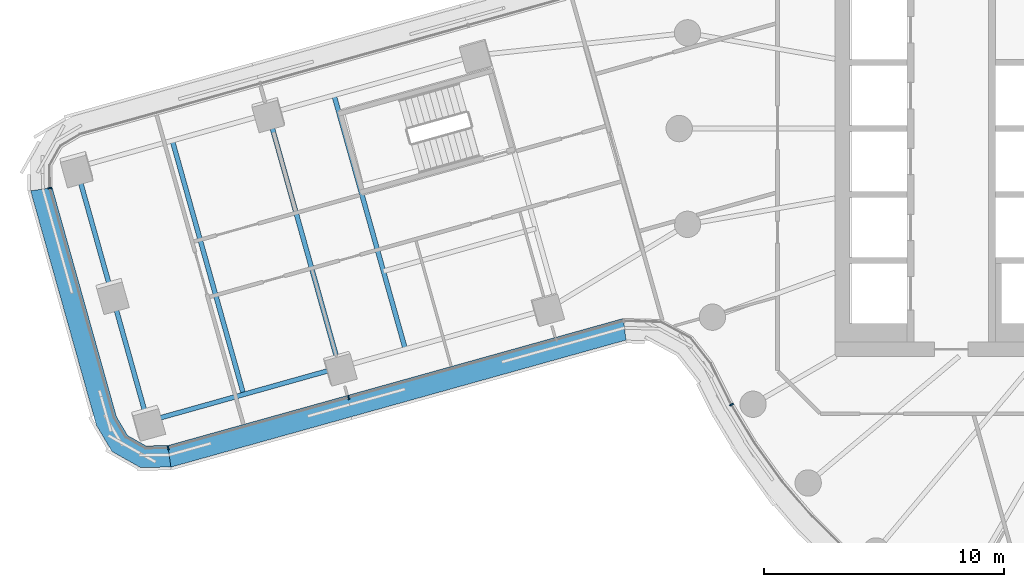
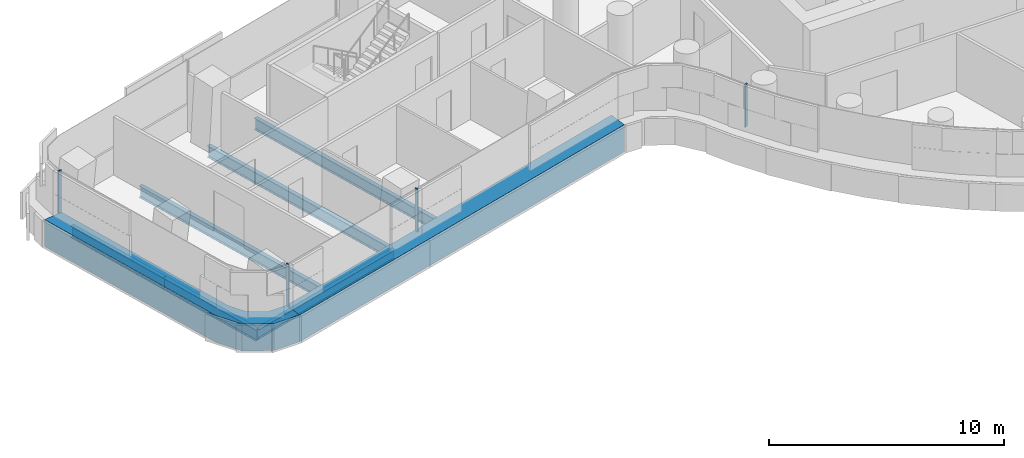
# One storey, part 4 of 30: 6 beams, 6 members, 3 elements without a shape of their own.
"""IFC4 building model written with IfcOpenShell, lengths in metres."""

from ifc_helpers import new_model, si_unit, direction, frame, origin, origin_2d, place, context, subcontext, project, spatial, polyline, rectangle, i_section, outline, extrude, material, layer, layer_set, material_profile, profile_set, type_object, element, aggregate, save


model = new_model("IFC4")

# Units and contexts
model_context = context("Model", 3, precision=1e-05, world=origin(), true_north=direction((0.0, 1.0)))
body_context = subcontext(model_context, "Body", "Model", "MODEL_VIEW")
ifc_project = project(units=[si_unit("LENGTHUNIT", "METRE"), si_unit("AREAUNIT", "SQUARE_METRE"), si_unit("VOLUMEUNIT", "CUBIC_METRE"), si_unit("PLANEANGLEUNIT", "RADIAN"), si_unit("MASSUNIT", "GRAM", prefix="KILO")], contexts=[model_context])

# Site, building, storey
site_placement = place(None, origin())
site = spatial("IfcSite", under=ifc_project, at=site_placement, CompositionType="ELEMENT")
building_placement = place(site_placement, origin())
building = spatial("IfcBuilding", under=site, at=building_placement, Name="Tamarind Cross Interchange Tower", CompositionType="ELEMENT")
storey_placement = place(building_placement, frame((0.0, 0.0, 91.0)))
storey = spatial("IfcBuildingStorey", under=building, at=storey_placement, Name="L21", CompositionType="ELEMENT", Elevation=91.0)

# Beams
ifc_material_1 = material(Name="Steel Q355B", Category="steel")
ifc_material_profile_1 = material_profile(ifc_material_1, i_section(OverallWidth=0.198974609375, OverallDepth=0.49609375, WebThickness=0.009033203125, FlangeThickness=0.013916015625, FilletRadius=0.012939453125, at=origin_2d()), Name="HN 496x199x9x14")
ifc_profile_set_1 = profile_set([ifc_material_profile_1], Name="Steel Q355B")
beam_type_1 = type_object("IfcBeamType", Name="Composite beam HN 496x199x9x14 Q355B", PredefinedType="BEAM", material=ifc_profile_set_1)
beam_placement = place(storey_placement, frame((-45.17578125, -12.214599609375, -0.387939453125), z_axis=(0.962821761658, 0.270137474776, 0.0), x_axis=(-0.270137474776, 0.962821761658, 0.0)))
element("IfcBeam", 1, at=beam_placement, inside=storey, type_object=beam_type_1, Name="Beam W-edgeep2", PredefinedType="BEAM", context=body_context, shape_type="SweptSolid", body=[
    extrude(i_section(OverallWidth=0.198974609375, OverallDepth=0.49609375, WebThickness=0.009033203125, FlangeThickness=0.013916015625, FilletRadius=0.012939453125, at=origin_2d()), origin(), (0.0, 0.0, 1.0), 8.313720703125),
])
ifc_material_profile_2 = material_profile(ifc_material_1, i_section(OverallWidth=0.199951171875, OverallDepth=0.60009765625, WebThickness=0.010986328125, FlangeThickness=0.01708984375, FilletRadius=0.012939453125, at=origin_2d()), Name="HN 600x200x11x17")
ifc_profile_set_2 = profile_set([ifc_material_profile_2], Name="Steel Q355B")
beam_type_2 = type_object("IfcBeamType", Name="Composite beam HN 600x200x11x17 Q355B", PredefinedType="BEAM", material=ifc_profile_set_2)
for number, where, z_axis, x_axis, name in (
    (2, (-48.147216796875, -1.62353515625, -0.43994140625), (0.270156767928, -0.962816348398, 0.0), (0.962816348398, 0.270156767928, 0.0), "Beam W-tip0"),
    (3, (-46.661376953125, -6.9189453125, -0.43994140625), (0.270104072741, -0.962831132592, 0.0), (0.962831132592, 0.270104072741, 0.0), "Beam W-tip1"),
):
    element("IfcBeam", number, at=place(storey_placement, frame(where, z_axis=z_axis, x_axis=x_axis)), inside=storey, type_object=beam_type_2, Name=name, PredefinedType="BEAM", context=body_context, shape_type="SweptSolid", body=[
        extrude(i_section(OverallWidth=0.199951171875, OverallDepth=0.60009765625, WebThickness=0.010986328125, FlangeThickness=0.01708984375, FilletRadius=0.012939453125, at=origin_2d()), origin(), (0.0, 0.0, 1.0), 5.5),
    ])
for number, where, z_axis, x_axis, name in (
    (4, (-37.3984375, 1.39208984375, -0.43994140625), (0.27013042003, -0.962823740969, 0.0), (0.962823740969, 0.27013042003, 0.0), "Beam W-x364"),
    (5, (-40.142578125, 0.622314453125, -0.43994140625), (0.27013042003, -0.962823740969, 0.0), (0.962823740969, 0.27013042003, 0.0), "Beam W-x393"),
    (6, (-44.144775390625, -0.50048828125, -0.43994140625), (0.27013042003, -0.962823740969, 0.0), (0.962823740969, 0.27013042003, 0.0), "Beam W-x435"),
):
    element("IfcBeam", number, at=place(storey_placement, frame(where, z_axis=z_axis, x_axis=x_axis)), inside=storey, type_object=beam_type_2, Name=name, PredefinedType="BEAM", context=body_context, shape_type="SweptSolid", body=[
        extrude(i_section(OverallWidth=0.199951171875, OverallDepth=0.60009765625, WebThickness=0.010986328125, FlangeThickness=0.01708984375, FilletRadius=0.012939453125, at=origin_2d()), origin(), (0.0, 0.0, 1.0), 11.0),
    ])

# Curtain wall, member
ifc_material_2 = material(Name="Aluminium 6063-T6", Category="aluminium")
ifc_layer = layer(ifc_material_2, 0.159912109375)
ifc_layer_set = layer_set([ifc_layer], Name="Aluminium 6063-T6")
curtain_wall_type = type_object("IfcCurtainWallType", Name="Office curtain wall, 9.0 m bays", PredefinedType="NOTDEFINED", material=ifc_layer_set)
curtain_wall_1_placement = place(storey_placement, origin())
curtain_wall_1 = element("IfcCurtainWall", 7, at=curtain_wall_1_placement, inside=storey, type_object=curtain_wall_type, Name="CWS-L21-12", PredefinedType="NOTDEFINED")
ifc_material_3 = material(Name="Aluminium and insulated spandrel panel", Category="aluminium")
member_type_1 = type_object("IfcMemberType", Name="Floor-edge blade transom", PredefinedType="USERDEFINED", material=ifc_material_3)
member_1_placement = place(storey_placement, origin())
member_1 = element("IfcMember", 8, at=member_1_placement, type_object=member_type_1, Name="CWT-L21-12", ObjectType="TRANSOM", PredefinedType="USERDEFINED", context=body_context, shape_type="SweptSolid", body=[
    extrude(outline(polyline([(-49.15673828125, -2.467041015625), (-46.476806640625, -12.019287109375), (-46.009765625, -12.806640625), (-45.24755859375, -13.23486328125), (-44.33203125, -13.22412109375), (-44.20361328125, -14.122802734375), (-45.47802734375, -14.1376953125), (-46.660888671875, -13.47314453125), (-47.311279296875, -12.37646484375), (-50.055419921875, -2.59619140625), (-49.15673828125, -2.467041015625)])), origin(), (0.0, 0.0, 1.0), 1.39990234375),
])

curtain_wall_2_placement = place(storey_placement, origin())
curtain_wall_2 = element("IfcCurtainWall", 9, at=curtain_wall_2_placement, inside=storey, type_object=curtain_wall_type, Name="CWS-L21-13", PredefinedType="NOTDEFINED")
member_2_placement = place(storey_placement, origin())
member_2 = element("IfcMember", 10, at=member_2_placement, type_object=member_type_1, Name="CWT-L21-13", ObjectType="TRANSOM", PredefinedType="USERDEFINED", context=body_context, shape_type="SweptSolid", body=[
    extrude(outline(polyline([(-44.33203125, -13.22412109375), (-25.32861328125, -7.920166015625), (-25.218017578125, -8.82373046875), (-44.20361328125, -14.122802734375), (-44.33203125, -13.22412109375)])), origin(), (0.0, 0.0, 1.0), 1.39990234375),
])

# Member
ifc_material_profile_3 = material_profile(ifc_material_2, rectangle(XDim=0.06005859375, YDim=0.159912109375, at=origin_2d()), Name="Mullion CW1")
ifc_profile_set_3 = profile_set([ifc_material_profile_3], Name="Aluminium 6063-T6")
member_type_2 = type_object("IfcMemberType", Name="Mullion CW1", PredefinedType="MULLION", material=ifc_profile_set_3)
member_3_placement = place(storey_placement, frame((-49.256591796875, -2.4814453125, 1.39990234375), z_axis=(0.0, 0.0, 1.0), x_axis=(0.142145220779, -0.989845814362, 0.0)))
member_3 = element("IfcMember", 11, at=member_3_placement, type_object=member_type_2, Name="CWM-L21-12-00", PredefinedType="MULLION", context=body_context, shape_type="SweptSolid", body=[
    extrude(rectangle(XDim=0.06005859375, YDim=0.159912109375, at=origin_2d()), origin(), (0.0, 0.0, 1.0), 2.210205078125),
])

aggregate(curtain_wall_1, [member_3, member_1])

member_4_placement = place(storey_placement, frame((-44.317626953125, -13.323974609375, 1.39990234375), z_axis=(0.0, 0.0, 1.0), x_axis=(0.989941479785, 0.141477442021, 0.0)))
member_4 = element("IfcMember", 12, at=member_4_placement, type_object=member_type_2, Name="CWM-L21-13-00", PredefinedType="MULLION", context=body_context, shape_type="SweptSolid", body=[
    extrude(rectangle(XDim=0.06005859375, YDim=0.159912109375, at=origin_2d()), origin(), (0.0, 0.0, 1.0), 2.210205078125),
])

member_5_placement = place(storey_placement, frame((-36.7900390625, -11.22314453125, 1.39990234375), z_axis=(0.0, 0.0, 1.0), x_axis=(0.963187452767, 0.26883067316, 0.0)))
member_5 = element("IfcMember", 13, at=member_5_placement, type_object=member_type_2, Name="CWM-L21-13-01", PredefinedType="MULLION", context=body_context, shape_type="SweptSolid", body=[
    extrude(rectangle(XDim=0.06005859375, YDim=0.159912109375, at=origin_2d()), origin(), (0.0, 0.0, 1.0), 2.210205078125),
])

aggregate(curtain_wall_2, [member_4, member_5, member_2])

# Curtain wall, member
curtain_wall_3_placement = place(storey_placement, origin())
curtain_wall_3 = element("IfcCurtainWall", 14, at=curtain_wall_3_placement, inside=storey, type_object=curtain_wall_type, Name="CWS-L21-14", PredefinedType="NOTDEFINED")
member_6_placement = place(storey_placement, frame((-20.8173828125, -11.517578125, 1.39990234375), z_axis=(0.0, 0.0, 1.0), x_axis=(0.515577308909, -0.856843065292, 0.0)))
member_6 = element("IfcMember", 15, at=member_6_placement, type_object=member_type_2, Name="CWM-L21-14-01", PredefinedType="MULLION", context=body_context, shape_type="SweptSolid", body=[
    extrude(rectangle(XDim=0.06005859375, YDim=0.159912109375, at=origin_2d()), origin(), (0.0, 0.0, 1.0), 2.210205078125),
])
aggregate(curtain_wall_3, [member_6])

save(model, "model.ifc")
